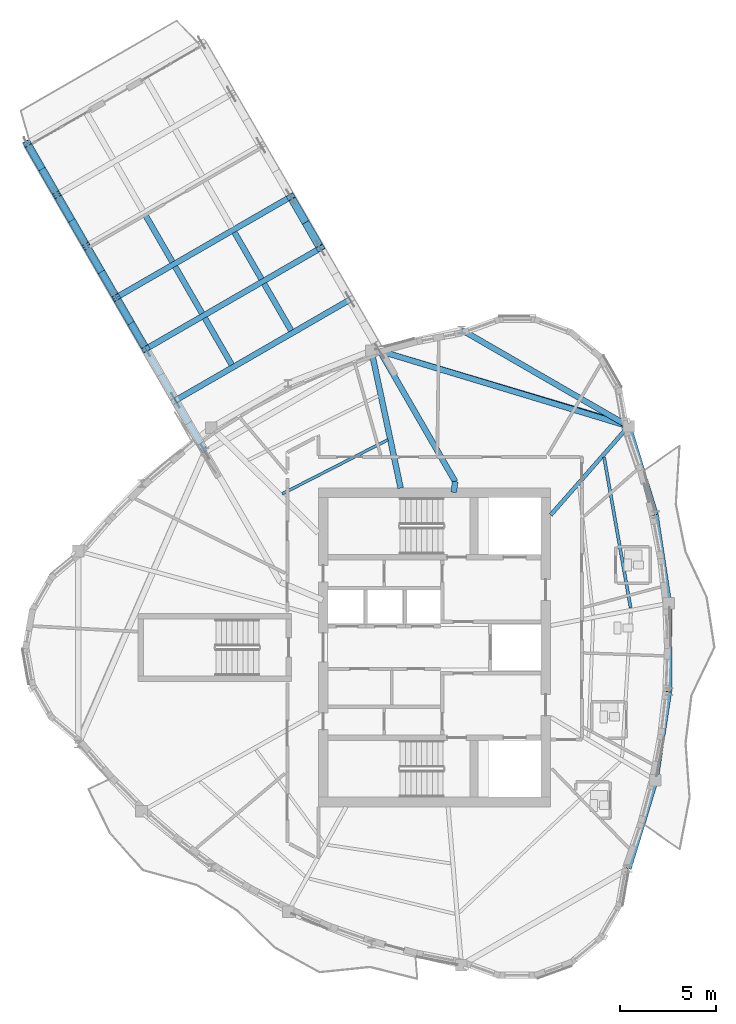
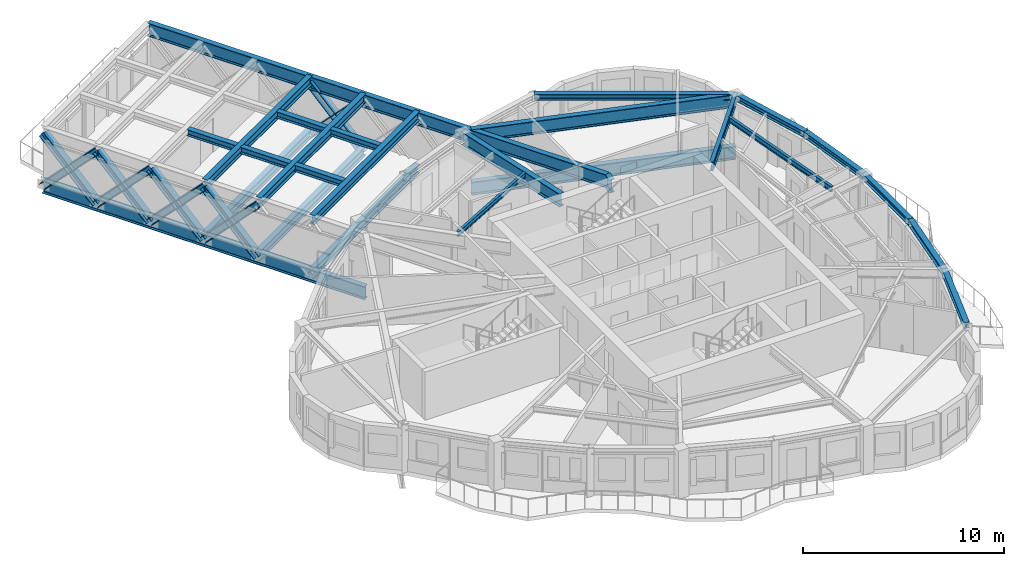
# One storey, part 2 of 14: 26 beams, 10 members.
"""IFC4 building model written with IfcOpenShell, lengths in metres."""

from ifc_helpers import new_model, si_unit, direction, frame, origin, origin_2d, place, context, subcontext, project, spatial, i_section, extrude, source, transform, mapped, material, material_profile, profile_set, type_object, element, save


model = new_model("IFC4")

# Units and contexts
model_context = context("Model", 3, precision=1e-05, world=origin(), true_north=direction((0.0, 1.0)))
body_context = subcontext(model_context, "Body", "Model", "MODEL_VIEW")
ifc_project = project(units=[si_unit("LENGTHUNIT", "METRE"), si_unit("AREAUNIT", "SQUARE_METRE"), si_unit("VOLUMEUNIT", "CUBIC_METRE"), si_unit("PLANEANGLEUNIT", "RADIAN"), si_unit("MASSUNIT", "GRAM", prefix="KILO")], contexts=[model_context])

# Site, building, storey
site_placement = place(None, origin())
site = spatial("IfcSite", under=ifc_project, at=site_placement, CompositionType="ELEMENT")
building_placement = place(site_placement, origin())
building = spatial("IfcBuilding", under=site, at=building_placement, Name="Qafzar Sky-Pleat Residences", CompositionType="ELEMENT")
storey_placement = place(building_placement, frame((0.0, 0.0, 205.199951171875)))
storey = spatial("IfcBuildingStorey", under=building, at=storey_placement, Name="L61", CompositionType="ELEMENT", Elevation=205.199951171875)

# Beams
ifc_material_1 = material(Name="Steel S355", Category="steel")
ifc_material_profile_1 = material_profile(ifc_material_1, i_section(OverallWidth=0.300048828125, OverallDepth=0.360107421875, WebThickness=0.012451171875, FlangeThickness=0.0224609375, FilletRadius=0.027099609375, at=origin_2d()), Name="HEB 360")
ifc_profile_set_1 = profile_set([ifc_material_profile_1], Name="Steel S355")
beam_type_1 = type_object("IfcBeamType", Name="BM-SPAN-HEB360", PredefinedType="SPANDREL", material=ifc_profile_set_1)
shared_shape_1 = source(origin(), body_context, "Body", "SweptSolid", [
    extrude(i_section(OverallWidth=0.300048828125, OverallDepth=0.360107421875, WebThickness=0.012451171875, FlangeThickness=0.0224609375, FilletRadius=0.027099609375, at=origin_2d()), origin(), (0.0, 0.0, 1.0), 10.0458984375),
])
beam_1_placement = place(storey_placement, frame((40.452392578125, 37.5224609375, 2.7529296875), z_axis=(-0.866024107753, 0.500002244785, 0.0), x_axis=(-0.500002244785, -0.866024107753, 0.0)))
element("IfcBeam", 1, at=beam_1_placement, inside=storey, type_object=beam_type_1, Name="L61 Perimeter Spandrel Beam 13", PredefinedType="SPANDREL", context=body_context, shape_type="MappedRepresentation", body=[
    mapped(shared_shape_1, transform((0.0, 0.0, 0.0), x_axis=(1.0, 0.0, 0.0), y_axis=(0.0, 1.0, 0.0), z_axis=(0.0, 0.0, 1.0), scale=1.0)),
])
shared_shape_2 = source(origin(), body_context, "Body", "SweptSolid", [
    extrude(i_section(OverallWidth=0.300048828125, OverallDepth=0.360107421875, WebThickness=0.012451171875, FlangeThickness=0.0224609375, FilletRadius=0.027099609375, at=origin_2d()), origin(), (0.0, 0.0, 1.0), 4.662109375),
])
for number, where, z_axis, x_axis, name in (
    (2, (41.853515625, 19.08642578125, 2.7529296875), (0.150294012462, 0.988641345392, 0.0), (-0.988641345392, 0.150294012462, 0.0), "L61 Perimeter Spandrel Beam 9"),
    (3, (42.55419921875, 28.304443359375, 2.7529296875), (-0.150294012462, 0.988641345392, 0.0), (-0.988641345392, -0.150294012462, 0.0), "L61 Perimeter Spandrel Beam 11"),
):
    element("IfcBeam", number, at=place(storey_placement, frame(where, z_axis=z_axis, x_axis=x_axis)), inside=storey, type_object=beam_type_1, Name=name, PredefinedType="SPANDREL", context=body_context, shape_type="MappedRepresentation", body=[
        mapped(shared_shape_2, transform((0.0, 0.0, 0.0), x_axis=(1.0, 0.0, 0.0), y_axis=(0.0, 1.0, 0.0), z_axis=(0.0, 0.0, 1.0), scale=1.0)),
    ])
shared_shape_3 = source(origin(), body_context, "Body", "SweptSolid", [
    extrude(i_section(OverallWidth=0.300048828125, OverallDepth=0.360107421875, WebThickness=0.012451171875, FlangeThickness=0.0224609375, FilletRadius=0.027099609375, at=origin_2d()), origin(), (0.0, 0.0, 1.0), 4.60888671875),
])
beam_2_placement = place(storey_placement, frame((42.55419921875, 23.695556640625, 2.7529296875), z_axis=(0.0, 1.0, 0.0), x_axis=(-1.0, 0.0, 0.0)))
element("IfcBeam", 4, at=beam_2_placement, inside=storey, type_object=beam_type_1, Name="L61 Perimeter Spandrel Beam 10", PredefinedType="SPANDREL", context=body_context, shape_type="MappedRepresentation", body=[
    mapped(shared_shape_3, transform((0.0, 0.0, 0.0), x_axis=(1.0, 0.0, 0.0), y_axis=(0.0, 1.0, 0.0), z_axis=(0.0, 0.0, 1.0), scale=1.0)),
])
shared_shape_4 = source(origin(), body_context, "Body", "SweptSolid", [
    extrude(i_section(OverallWidth=0.300048828125, OverallDepth=0.360107421875, WebThickness=0.012451171875, FlangeThickness=0.0224609375, FilletRadius=0.027099609375, at=origin_2d()), origin(), (0.0, 0.0, 1.0), 4.817138671875),
])
for number, where, z_axis, x_axis, name in (
    (5, (40.452392578125, 14.4775390625, 2.7529296875), (0.290861107496, 0.956765287908, 0.0), (-0.956765287908, 0.290861107496, 0.0), "L61 Perimeter Spandrel Beam 8"),
    (6, (41.853515625, 32.91357421875, 2.7529296875), (-0.290861107496, 0.956765287908, 0.0), (-0.956765287908, -0.290861107496, 0.0), "L61 Perimeter Spandrel Beam 12"),
):
    element("IfcBeam", number, at=place(storey_placement, frame(where, z_axis=z_axis, x_axis=x_axis)), inside=storey, type_object=beam_type_1, Name=name, PredefinedType="SPANDREL", context=body_context, shape_type="MappedRepresentation", body=[
        mapped(shared_shape_4, transform((0.0, 0.0, 0.0), x_axis=(1.0, 0.0, 0.0), y_axis=(0.0, 1.0, 0.0), z_axis=(0.0, 0.0, 1.0), scale=1.0)),
    ])
ifc_material_profile_2 = material_profile(ifc_material_1, i_section(OverallWidth=0.2099609375, OverallDepth=0.550048828125, WebThickness=0.010986328125, FlangeThickness=0.01708984375, FilletRadius=0.02392578125, at=origin_2d()), Name="IPE 550")
ifc_profile_set_2 = profile_set([ifc_material_profile_2], Name="Steel S355")
beam_type_2 = type_object("IfcBeamType", Name="BM-SEC-IPE550", PredefinedType="BEAM", material=ifc_profile_set_2)
shared_shape_5 = source(origin(), body_context, "Body", "SweptSolid", [
    extrude(i_section(OverallWidth=0.2099609375, OverallDepth=0.550048828125, WebThickness=0.010986328125, FlangeThickness=0.01708984375, FilletRadius=0.02392578125, at=origin_2d()), origin(), (0.0, 0.0, 1.0), 6.14697265625),
])
beam_3_placement = place(storey_placement, frame((40.452392578125, 37.5224609375, 2.657958984375), z_axis=(-0.659257841013, -0.751916949578, 0.0), x_axis=(0.751916949578, -0.659257841013, 0.0)))
element("IfcBeam", 7, at=beam_3_placement, inside=storey, type_object=beam_type_2, Name="L61 Radial Floor Girder 13", PredefinedType="BEAM", context=body_context, shape_type="MappedRepresentation", body=[
    mapped(shared_shape_5, transform((0.0, 0.0, 0.0), x_axis=(1.0, 0.0, 0.0), y_axis=(0.0, 1.0, 0.0), z_axis=(0.0, 0.0, 1.0), scale=1.0)),
])
ifc_material_2 = material(Name="Steel S460", Category="steel")
ifc_material_profile_3 = material_profile(ifc_material_2, i_section(OverallWidth=0.300048828125, OverallDepth=0.800048828125, WebThickness=0.017578125, FlangeThickness=0.032958984375, FilletRadius=0.030029296875, at=origin_2d()), Name="HEB 800")
ifc_profile_set_3 = profile_set([ifc_material_profile_3], Name="Steel S460")
beam_type_3 = type_object("IfcBeamType", Name="BM-CHORD-HEB800", PredefinedType="BEAM", material=ifc_profile_set_3)
shared_shape_6 = source(origin(), body_context, "Body", "SweptSolid", [
    extrude(i_section(OverallWidth=0.300048828125, OverallDepth=0.800048828125, WebThickness=0.017578125, FlangeThickness=0.032958984375, FilletRadius=0.030029296875, at=origin_2d()), origin(), (0.0, 0.0, 1.0), 7.314697265625),
])
beam_4_placement = place(storey_placement, frame((27.060302734375, 41.454345703125, 2.532958984375), z_axis=(0.208206835337, -0.978084819287, 0.0), x_axis=(0.978084819287, 0.208206835337, 0.0)))
element("IfcBeam", 8, at=beam_4_placement, inside=storey, type_object=beam_type_3, Name="L61 Radial Floor Girder 15", PredefinedType="BEAM", context=body_context, shape_type="MappedRepresentation", body=[
    mapped(shared_shape_6, transform((0.0, 0.0, 0.0), x_axis=(1.0, 0.0, 0.0), y_axis=(0.0, 1.0, 0.0), z_axis=(0.0, 0.0, 1.0), scale=1.0)),
])
ifc_material_profile_4 = material_profile(ifc_material_1, i_section(OverallWidth=0.159912109375, OverallDepth=0.330078125, WebThickness=0.007568359375, FlangeThickness=0.011474609375, FilletRadius=0.01806640625, at=origin_2d()), Name="IPE 330")
ifc_profile_set_4 = profile_set([ifc_material_profile_4], Name="Steel S355")
beam_type_4 = type_object("IfcBeamType", Name="BM-JST-IPE330", PredefinedType="JOIST", material=ifc_profile_set_4)
shared_shape_7 = source(origin(), body_context, "Body", "SweptSolid", [
    extrude(i_section(OverallWidth=0.159912109375, OverallDepth=0.330078125, WebThickness=0.007568359375, FlangeThickness=0.011474609375, FilletRadius=0.01806640625, at=origin_2d()), origin(), (0.0, 0.0, 1.0), 7.965576171875),
])
beam_5_placement = place(storey_placement, frame((40.561279296875, 28.065673828125, 2.76806640625), z_axis=(-0.173507320817, 0.984832579489, 0.0), x_axis=(-0.984832579489, -0.173507320817, 0.0)))
element("IfcBeam", 9, at=beam_5_placement, inside=storey, type_object=beam_type_4, Name="L61 Outer Secondary Floor Joist 6", PredefinedType="JOIST", context=body_context, shape_type="MappedRepresentation", body=[
    mapped(shared_shape_7, transform((0.0, 0.0, 0.0), x_axis=(1.0, 0.0, 0.0), y_axis=(0.0, 1.0, 0.0), z_axis=(0.0, 0.0, 1.0), scale=1.0)),
])
ifc_material_profile_5 = material_profile(ifc_material_1, i_section(OverallWidth=0.14990234375, OverallDepth=0.300048828125, WebThickness=0.007080078125, FlangeThickness=0.0107421875, FilletRadius=0.014892578125, at=origin_2d()), Name="IPE 300")
ifc_profile_set_5 = profile_set([ifc_material_profile_5], Name="Steel S355")
beam_type_5 = type_object("IfcBeamType", Name="BM-JST-IPE300", PredefinedType="JOIST", material=ifc_profile_set_5)
shared_shape_8 = source(origin(), body_context, "Body", "SweptSolid", [
    extrude(i_section(OverallWidth=0.14990234375, OverallDepth=0.300048828125, WebThickness=0.007080078125, FlangeThickness=0.0107421875, FilletRadius=0.014892578125, at=origin_2d()), origin(), (0.0, 0.0, 1.0), 6.178955078125),
])
beam_6_placement = place(storey_placement, frame((27.914794921875, 36.814208984375, 2.782958984375), z_axis=(-0.890223943617, -0.455523139051, 0.0), x_axis=(0.455523139051, -0.890223943617, 0.0)))
element("IfcBeam", 10, at=beam_6_placement, inside=storey, type_object=beam_type_5, Name="L61 Inner Secondary Floor Joist 8", PredefinedType="JOIST", context=body_context, shape_type="MappedRepresentation", body=[
    mapped(shared_shape_8, transform((0.0, 0.0, 0.0), x_axis=(1.0, 0.0, 0.0), y_axis=(0.0, 1.0, 0.0), z_axis=(0.0, 0.0, 1.0), scale=1.0)),
])
shared_shape_9 = source(origin(), body_context, "Body", "SweptSolid", [
    extrude(i_section(OverallWidth=0.300048828125, OverallDepth=0.800048828125, WebThickness=0.017578125, FlangeThickness=0.032958984375, FilletRadius=0.030029296875, at=origin_2d()), origin(), (0.0, 0.0, 1.0), 0.5732421875),
])
beam_7_placement = place(storey_placement, frame((31.421630859375, 34.643798828125, 2.531005859375), z_axis=(-0.123091100206, -0.992395375367, 0.0), x_axis=(0.992395375367, -0.123091100206, 0.0)))
element("IfcBeam", 11, at=beam_7_placement, inside=storey, type_object=beam_type_3, Name="L61 SB-5 Core Back-Span Tie Girder R", PredefinedType="BEAM", context=body_context, shape_type="MappedRepresentation", body=[
    mapped(shared_shape_9, transform((0.0, 0.0, 0.0), x_axis=(1.0, 0.0, 0.0), y_axis=(0.0, 1.0, 0.0), z_axis=(0.0, 0.0, 1.0), scale=1.0)),
])
shared_shape_10 = source(origin(), body_context, "Body", "SweptSolid", [
    extrude(i_section(OverallWidth=0.300048828125, OverallDepth=0.800048828125, WebThickness=0.017578125, FlangeThickness=0.032958984375, FilletRadius=0.030029296875, at=origin_2d()), origin(), (0.0, 0.0, 1.0), 26.399169921875),
])
beam_8_placement = place(storey_placement, frame((31.421630859375, 34.643798828125, 2.532958984375), z_axis=(-0.49999730459, 0.866026959975, 0.0), x_axis=(-0.866026959975, -0.49999730459, 0.0)))
element("IfcBeam", 12, at=beam_8_placement, inside=storey, type_object=beam_type_3, Name="L61 SB-5 Truss Chord R1", PredefinedType="BEAM", context=body_context, shape_type="MappedRepresentation", body=[
    mapped(shared_shape_10, transform((0.0, 0.0, 0.0), x_axis=(1.0, 0.0, 0.0), y_axis=(0.0, 1.0, 0.0), z_axis=(0.0, 0.0, 1.0), scale=1.0)),
])
shared_shape_11 = source(origin(), body_context, "Body", "SweptSolid", [
    extrude(i_section(OverallWidth=0.300048828125, OverallDepth=0.800048828125, WebThickness=0.017578125, FlangeThickness=0.032958984375, FilletRadius=0.030029296875, at=origin_2d()), origin(), (0.0, 0.0, 1.0), 18.549072265625),
])
beam_9_placement = place(storey_placement, frame((18.4033203125, 36.192138671875, -0.6669921875), z_axis=(-0.499995133251, 0.866028213585, 0.0), x_axis=(-0.866028213585, -0.499995133251, 0.0)))
element("IfcBeam", 13, at=beam_9_placement, inside=storey, type_object=beam_type_3, Name="L61 SB-5 Bottom Chord L1", PredefinedType="BEAM", context=body_context, shape_type="MappedRepresentation", body=[
    mapped(shared_shape_11, transform((0.0, 0.0, 0.0), x_axis=(1.0, 0.0, 0.0), y_axis=(0.0, 1.0, 0.0), z_axis=(0.0, 0.0, 1.0), scale=1.0)),
])

# Members
ifc_material_profile_6 = material_profile(ifc_material_2, i_section(OverallWidth=0.40087890625, OverallDepth=0.39892578125, WebThickness=0.02294921875, FlangeThickness=0.035888671875, FilletRadius=0.014892578125, at=origin_2d()), Name="HD 400x314")
ifc_profile_set_6 = profile_set([ifc_material_profile_6], Name="Steel S460")
member_type = type_object("IfcMemberType", Name="MEM-SB-DIAG", PredefinedType="BRACE", material=ifc_profile_set_6)
shared_shape_12 = source(origin(), body_context, "Body", "SweptSolid", [
    extrude(i_section(OverallWidth=0.40087890625, OverallDepth=0.39892578125, WebThickness=0.02294921875, FlangeThickness=0.035888671875, FilletRadius=0.014892578125, at=origin_2d()), origin(), (0.0, 0.0, 1.0), 4.449462890625),
])
for number, where, z_axis, x_axis, name in (
    (14, (15.31201171875, 41.546875, -0.6669921875), (-0.347439965749, 0.601709833292, 0.719187560182), (-0.865998834389, -0.50004601672, 0.0), "L61 SB-5 Truss Web Diagonal L3A"),
    (15, (15.31201171875, 41.546875, 2.532958984375), (-0.347439965749, 0.601709833292, -0.719187560182), (-0.865998834389, -0.50004601672, 0.0), "L61 SB-5 Truss Web Diagonal L3B"),
    (16, (10.6748046875, 49.57861328125, -0.6669921875), (-0.347428494676, 0.60174483593, 0.719163815496), (-0.866018578812, -0.500011821012, 0.0), "L61 SB-5 Truss Web Diagonal L6A"),
    (17, (10.6748046875, 49.57861328125, 2.532958984375), (-0.347428494676, 0.60174483593, -0.719163815496), (-0.866018578812, -0.500011821012, 0.0), "L61 SB-5 Truss Web Diagonal L6B"),
):
    element("IfcMember", number, at=place(storey_placement, frame(where, z_axis=z_axis, x_axis=x_axis)), inside=storey, type_object=member_type, Name=name, PredefinedType="BRACE", context=body_context, shape_type="MappedRepresentation", body=[
        mapped(shared_shape_12, transform((0.0, 0.0, 0.0), x_axis=(1.0, 0.0, 0.0), y_axis=(0.0, 1.0, 0.0), z_axis=(0.0, 0.0, 1.0), scale=1.0)),
    ])
shared_shape_13 = source(origin(), body_context, "Body", "SweptSolid", [
    extrude(i_section(OverallWidth=0.40087890625, OverallDepth=0.39892578125, WebThickness=0.02294921875, FlangeThickness=0.035888671875, FilletRadius=0.014892578125, at=origin_2d()), origin(), (0.0, 0.0, 1.0), 4.44921875),
])
for number, where, z_axis, x_axis, name in (
    (18, (13.76611328125, 44.22412109375, -0.6669921875), (-0.347391717542, 0.601721303832, 0.719201270229), (-0.86603303137, -0.499986788401, 0.0), "L61 SB-5 Truss Web Diagonal L4A"),
    (19, (13.76611328125, 44.22412109375, 2.532958984375), (-0.347391717542, 0.601721303832, -0.719201270229), (-0.86603303137, -0.499986788401, 0.0), "L61 SB-5 Truss Web Diagonal L4B"),
    (20, (12.220458984375, 46.9013671875, -0.6669921875), (-0.347391717542, 0.601721303832, 0.719201270229), (-0.86603303137, -0.499986788401, 0.0), "L61 SB-5 Truss Web Diagonal L5A"),
    (21, (12.220458984375, 46.9013671875, 2.532958984375), (-0.347391717542, 0.601721303832, -0.719201270229), (-0.86603303137, -0.499986788401, 0.0), "L61 SB-5 Truss Web Diagonal L5B"),
    (22, (24.405029296875, 46.796875, -0.6669921875), (-0.347391717542, 0.601721303832, 0.719201270229), (-0.86603303137, -0.499986788401, 0.0), "L61 SB-5 Truss Web Diagonal R3A"),
    (23, (24.405029296875, 46.796875, 2.532958984375), (-0.347391717542, 0.601721303832, -0.719201270229), (-0.86603303137, -0.499986788401, 0.0), "L61 SB-5 Truss Web Diagonal R3B"),
):
    element("IfcMember", number, at=place(storey_placement, frame(where, z_axis=z_axis, x_axis=x_axis)), inside=storey, type_object=member_type, Name=name, PredefinedType="BRACE", context=body_context, shape_type="MappedRepresentation", body=[
        mapped(shared_shape_13, transform((0.0, 0.0, 0.0), x_axis=(1.0, 0.0, 0.0), y_axis=(0.0, 1.0, 0.0), z_axis=(0.0, 0.0, 1.0), scale=1.0)),
    ])

# Beams
shared_shape_14 = source(origin(), body_context, "Body", "SweptSolid", [
    extrude(i_section(OverallWidth=0.300048828125, OverallDepth=0.800048828125, WebThickness=0.017578125, FlangeThickness=0.032958984375, FilletRadius=0.030029296875, at=origin_2d()), origin(), (0.0, 0.0, 1.0), 13.53564453125),
])
beam_10_placement = place(storey_placement, frame((40.452392578125, 37.5224609375, 2.532958984375), z_axis=(-0.957154009192, 0.289579354732, 0.0), x_axis=(-0.289579354732, -0.957154009192, 0.0)))
element("IfcBeam", 24, at=beam_10_placement, inside=storey, type_object=beam_type_3, Name="L61 SB-5 Wing-Belt Top Chord R", PredefinedType="BEAM", context=body_context, shape_type="MappedRepresentation", body=[
    mapped(shared_shape_14, transform((0.0, 0.0, 0.0), x_axis=(1.0, 0.0, 0.0), y_axis=(0.0, 1.0, 0.0), z_axis=(0.0, 0.0, 1.0), scale=1.0)),
])
shared_shape_15 = source(origin(), body_context, "Body", "SweptSolid", [
    extrude(i_section(OverallWidth=0.300048828125, OverallDepth=0.800048828125, WebThickness=0.017578125, FlangeThickness=0.032958984375, FilletRadius=0.030029296875, at=origin_2d()), origin(), (0.0, 0.0, 1.0), 13.548583984375),
])
beam_11_placement = place(storey_placement, frame((40.47998046875, 37.570068359375, -0.6669921875), z_axis=(-0.958291224084, 0.285793509101, 0.0), x_axis=(-0.285793509101, -0.958291224084, 0.0)))
element("IfcBeam", 25, at=beam_11_placement, inside=storey, type_object=beam_type_3, Name="L61 SB-5 Wing-Belt Bottom Chord R", PredefinedType="BEAM", context=body_context, shape_type="MappedRepresentation", body=[
    mapped(shared_shape_15, transform((0.0, 0.0, 0.0), x_axis=(1.0, 0.0, 0.0), y_axis=(0.0, 1.0, 0.0), z_axis=(0.0, 0.0, 1.0), scale=1.0)),
])
ifc_material_profile_7 = material_profile(ifc_material_1, i_section(OverallWidth=0.300048828125, OverallDepth=0.550048828125, WebThickness=0.014892578125, FlangeThickness=0.029052734375, FilletRadius=0.027099609375, at=origin_2d()), Name="HEB 550")
ifc_profile_set_7 = profile_set([ifc_material_profile_7], Name="Steel S355")
beam_type_6 = type_object("IfcBeamType", Name="BM-GIRD-HEB550", PredefinedType="BEAM", material=ifc_profile_set_7)
shared_shape_16 = source(origin(), body_context, "Body", "SweptSolid", [
    extrude(i_section(OverallWidth=0.300048828125, OverallDepth=0.550048828125, WebThickness=0.014892578125, FlangeThickness=0.029052734375, FilletRadius=0.027099609375, at=origin_2d()), origin(), (0.0, 0.0, 1.0), 10.5),
])
for number, where, z_axis, x_axis, name in (
    (26, (16.857666015625, 38.869384765625, 2.657958984375), (0.866025284237, 0.500000207062, 0.0), (-0.500000207062, 0.866025284237, 0.0), "L61 SB-5 Transverse Girder 1"),
    (27, (16.857666015625, 38.869384765625, -0.5419921875), (0.866025284237, 0.500000207062, 0.0), (-0.500000207062, 0.866025284237, 0.0), "L61 SB-5 Bottom Transverse Girder 1"),
    (28, (13.76611328125, 44.22412109375, 2.657958984375), (0.866025284237, 0.500000207062, 0.0), (-0.500000207062, 0.866025284237, 0.0), "L61 SB-5 Transverse Girder 3"),
    (29, (13.76611328125, 44.22412109375, -0.5419921875), (0.866025284237, 0.500000207062, 0.0), (-0.500000207062, 0.866025284237, 0.0), "L61 SB-5 Bottom Transverse Girder 3"),
):
    element("IfcBeam", number, at=place(storey_placement, frame(where, z_axis=z_axis, x_axis=x_axis)), inside=storey, type_object=beam_type_6, Name=name, PredefinedType="BEAM", context=body_context, shape_type="MappedRepresentation", body=[
        mapped(shared_shape_16, transform((0.0, 0.0, 0.0), x_axis=(1.0, 0.0, 0.0), y_axis=(0.0, 1.0, 0.0), z_axis=(0.0, 0.0, 1.0), scale=1.0)),
    ])
shared_shape_17 = source(origin(), body_context, "Body", "SweptSolid", [
    extrude(i_section(OverallWidth=0.300048828125, OverallDepth=0.550048828125, WebThickness=0.014892578125, FlangeThickness=0.029052734375, FilletRadius=0.027099609375, at=origin_2d()), origin(), (0.0, 0.0, 1.0), 10.499755859375),
])
for number, where, z_axis, x_axis, name in (
    (30, (15.31201171875, 41.546875, 2.657958984375), (0.866019471182, 0.500010275428, 0.0), (-0.500010275428, 0.866019471182, 0.0), "L61 SB-5 Transverse Girder 2"),
    (31, (15.31201171875, 41.546875, -0.5419921875), (0.866019471182, 0.500010275428, 0.0), (-0.500010275428, 0.866019471182, 0.0), "L61 SB-5 Bottom Transverse Girder 2"),
):
    element("IfcBeam", number, at=place(storey_placement, frame(where, z_axis=z_axis, x_axis=x_axis)), inside=storey, type_object=beam_type_6, Name=name, PredefinedType="BEAM", context=body_context, shape_type="MappedRepresentation", body=[
        mapped(shared_shape_17, transform((0.0, 0.0, 0.0), x_axis=(1.0, 0.0, 0.0), y_axis=(0.0, 1.0, 0.0), z_axis=(0.0, 0.0, 1.0), scale=1.0)),
    ])
ifc_material_profile_8 = material_profile(ifc_material_1, i_section(OverallWidth=0.300048828125, OverallDepth=0.389892578125, WebThickness=0.010986328125, FlangeThickness=0.01904296875, FilletRadius=0.027099609375, at=origin_2d()), Name="HEA 400")
ifc_profile_set_8 = profile_set([ifc_material_profile_8], Name="Steel S355")
beam_type_7 = type_object("IfcBeamType", Name="BM-SBJ-HEA400", PredefinedType="JOIST", material=ifc_profile_set_8)
shared_shape_18 = source(origin(), body_context, "Body", "SweptSolid", [
    extrude(i_section(OverallWidth=0.300048828125, OverallDepth=0.389892578125, WebThickness=0.010986328125, FlangeThickness=0.01904296875, FilletRadius=0.027099609375, at=origin_2d()), origin(), (0.0, 0.0, 1.0), 2.821533203125),
])
for number, where, z_axis, x_axis, name in (
    (32, (22.882568359375, 42.50390625, 2.738037109375), (-0.499954647489, 0.866051586486, 0.0), (-0.866051586486, -0.499954647489, 0.0), "L61 SB-5 Sky-Bar Secondary Deck Joist 2.1"),
    (33, (19.791015625, 40.718994140625, 2.738037109375), (-0.500057011773, 0.86599248552, 0.0), (-0.86599248552, -0.500057011773, 0.0), "L61 SB-5 Sky-Bar Secondary Deck Joist 2.2"),
):
    element("IfcBeam", number, at=place(storey_placement, frame(where, z_axis=z_axis, x_axis=x_axis)), inside=storey, type_object=beam_type_7, Name=name, PredefinedType="JOIST", context=body_context, shape_type="MappedRepresentation", body=[
        mapped(shared_shape_18, transform((0.0, 0.0, 0.0), x_axis=(1.0, 0.0, 0.0), y_axis=(0.0, 1.0, 0.0), z_axis=(0.0, 0.0, 1.0), scale=1.0)),
    ])
shared_shape_19 = source(origin(), body_context, "Body", "SweptSolid", [
    extrude(i_section(OverallWidth=0.300048828125, OverallDepth=0.389892578125, WebThickness=0.010986328125, FlangeThickness=0.01904296875, FilletRadius=0.027099609375, at=origin_2d()), origin(), (0.0, 0.0, 1.0), 2.82177734375),
])
beam_12_placement = place(storey_placement, frame((21.3369140625, 45.18115234375, 2.738037109375), z_axis=(-0.500019542665, 0.866014120528, 0.0), x_axis=(-0.866014120528, -0.500019542665, 0.0)))
element("IfcBeam", 34, at=beam_12_placement, inside=storey, type_object=beam_type_7, Name="L61 SB-5 Sky-Bar Secondary Deck Joist 3.1", PredefinedType="JOIST", context=body_context, shape_type="MappedRepresentation", body=[
    mapped(shared_shape_19, transform((0.0, 0.0, 0.0), x_axis=(1.0, 0.0, 0.0), y_axis=(0.0, 1.0, 0.0), z_axis=(0.0, 0.0, 1.0), scale=1.0)),
])
shared_shape_20 = source(origin(), body_context, "Body", "SweptSolid", [
    extrude(i_section(OverallWidth=0.300048828125, OverallDepth=0.389892578125, WebThickness=0.010986328125, FlangeThickness=0.01904296875, FilletRadius=0.027099609375, at=origin_2d()), origin(), (0.0, 0.0, 1.0), 2.8212890625),
])
for number, where, z_axis, x_axis, name in (
    (35, (18.2451171875, 43.396240234375, 2.738037109375), (-0.499992114976, 0.866029956157, 0.0), (-0.866029956157, -0.499992114976, 0.0), "L61 SB-5 Sky-Bar Secondary Deck Joist 3.2"),
    (36, (16.699462890625, 46.073486328125, 2.738037109375), (-0.499992114976, 0.866029956157, 0.0), (-0.866029956157, -0.499992114976, 0.0), "L61 SB-5 Sky-Bar Secondary Deck Joist 4.2"),
):
    element("IfcBeam", number, at=place(storey_placement, frame(where, z_axis=z_axis, x_axis=x_axis)), inside=storey, type_object=beam_type_7, Name=name, PredefinedType="JOIST", context=body_context, shape_type="MappedRepresentation", body=[
        mapped(shared_shape_20, transform((0.0, 0.0, 0.0), x_axis=(1.0, 0.0, 0.0), y_axis=(0.0, 1.0, 0.0), z_axis=(0.0, 0.0, 1.0), scale=1.0)),
    ])

save(model, "model.ifc")
